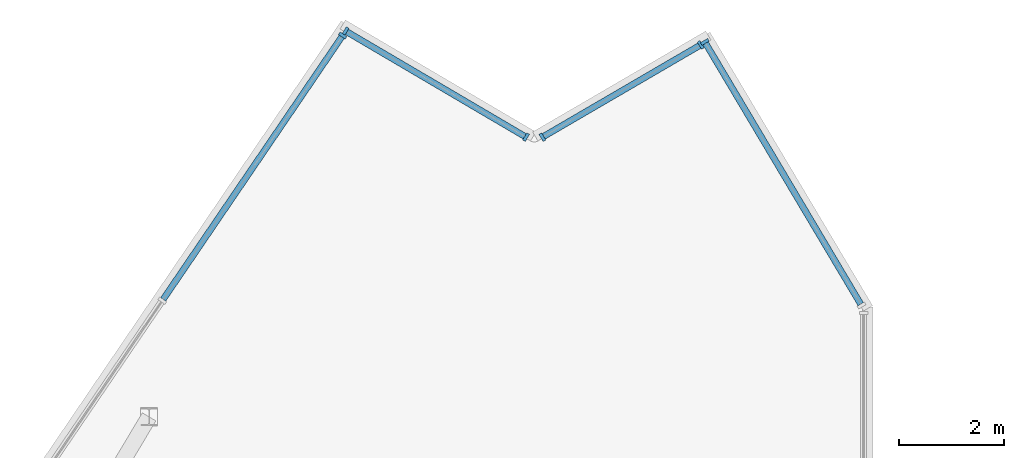
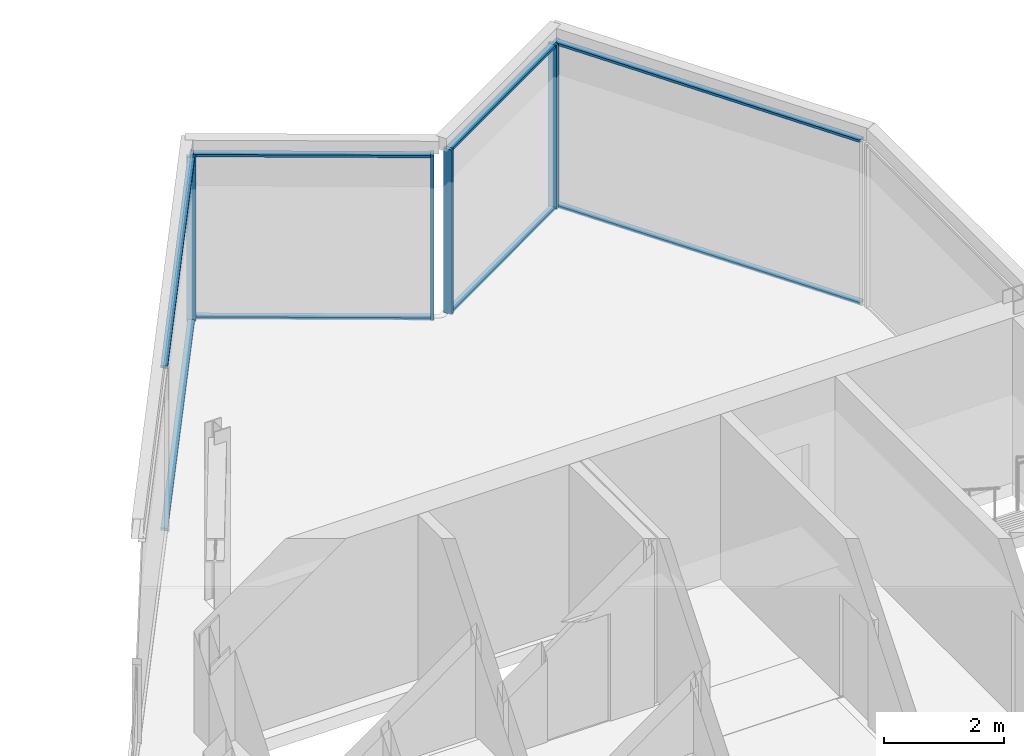
# One storey, part 6 of 13: 14 members, 4 elements without a shape of their own.
"""IFC4 building model written with IfcOpenShell, lengths in metres."""

from ifc_helpers import new_model, si_unit, direction, frame, origin, origin_2d, place, context, subcontext, project, spatial, rectangle, extrude, material, material_profile, profile_set, type_object, element, aggregate, save


model = new_model("IFC4")

# Units and contexts
model_context = context("Model", 3, precision=1e-05, world=origin(), true_north=direction((0.0, 1.0)))
body_context = subcontext(model_context, "Body", "Model", "MODEL_VIEW")
ifc_project = project(units=[si_unit("LENGTHUNIT", "METRE"), si_unit("AREAUNIT", "SQUARE_METRE"), si_unit("VOLUMEUNIT", "CUBIC_METRE"), si_unit("PLANEANGLEUNIT", "RADIAN"), si_unit("MASSUNIT", "GRAM", prefix="KILO")], contexts=[model_context])

# Site, building, storey
site_placement = place(None, origin())
site = spatial("IfcSite", under=ifc_project, at=site_placement, CompositionType="ELEMENT")
building_placement = place(site_placement, origin())
building = spatial("IfcBuilding", under=site, at=building_placement, Name="Savorim Split Tower", CompositionType="ELEMENT")
storey_placement = place(building_placement, frame((0.0, 0.0, 312.0)))
storey = spatial("IfcBuildingStorey", under=building, at=storey_placement, Name="Crown L83 Plant", CompositionType="ELEMENT", Elevation=312.0)

# Curtain wall, member
ifc_material_1 = material(Name="Dark Ceramic-Fritted Insulated Glass", Category="glass")
curtain_wall_type = type_object("IfcCurtainWallType", Name="CW-CROWN-CREST", PredefinedType="NOTDEFINED", material=ifc_material_1)
curtain_wall_1_placement = place(storey_placement, origin())
curtain_wall_1 = element("IfcCurtainWall", 1, at=curtain_wall_1_placement, inside=storey, type_object=curtain_wall_type, Name="Crown L83 Plant Curtain Wall CW-Crown-L83-Plant-W2A", PredefinedType="NOTDEFINED")
ifc_material_2 = material(Name="Charcoal Anodised Aluminium", Category="aluminium")
ifc_material_profile_1 = material_profile(ifc_material_2, rectangle(XDim=0.159912109375, YDim=0.06005859375, at=origin_2d()), Name="ALU-M 160x60")
ifc_profile_set_1 = profile_set([ifc_material_profile_1], Name="Charcoal Anodised Aluminium")
member_type_1 = type_object("IfcMemberType", Name="CWM-160x60", PredefinedType="MULLION", material=ifc_profile_set_1)
member_1_placement = place(storey_placement, frame((4.89892578125, 20.698974609375, 0.0), z_axis=(0.0, 0.0, 1.0), x_axis=(-0.8595200261, -0.511102068801, 0.0)))
member_1 = element("IfcMember", 2, at=member_1_placement, type_object=member_type_1, Name="CW-07 mullion 2", PredefinedType="MULLION", context=body_context, shape_type="SweptSolid", body=[
    extrude(rectangle(XDim=0.159912109375, YDim=0.06005859375, at=origin_2d()), origin(), (0.0, 0.0, 1.0), 3.340087890625),
])

# Curtain wall, members
curtain_wall_2_placement = place(storey_placement, origin())
curtain_wall_2 = element("IfcCurtainWall", 3, at=curtain_wall_2_placement, inside=storey, type_object=curtain_wall_type, Name="Crown L83 Plant Curtain Wall CW-Crown-L83-Plant-W3A", PredefinedType="NOTDEFINED")
member_2_placement = place(storey_placement, frame((4.82080078125, 20.642822265625, 0.0), z_axis=(0.0, 0.0, 1.0), x_axis=(0.503523282824, -0.863981657012, 0.0)))
member_2 = element("IfcMember", 4, at=member_2_placement, type_object=member_type_1, Name="CW-07 mullion 1", PredefinedType="MULLION", context=body_context, shape_type="SweptSolid", body=[
    extrude(rectangle(XDim=0.159912109375, YDim=0.06005859375, at=origin_2d()), origin(), (0.0, 0.0, 1.0), 3.340087890625),
])
member_3_placement = place(storey_placement, frame((1.798095703125, 18.88134765625, 0.0), z_axis=(0.0, 0.0, 1.0), x_axis=(0.503523282824, -0.863981657012, 0.0)))
member_3 = element("IfcMember", 5, at=member_3_placement, type_object=member_type_1, Name="CW-07 mullion 2", PredefinedType="MULLION", context=body_context, shape_type="SweptSolid", body=[
    extrude(rectangle(XDim=0.159912109375, YDim=0.06005859375, at=origin_2d()), origin(), (0.0, 0.0, 1.0), 3.340087890625),
])

curtain_wall_3_placement = place(storey_placement, origin())
curtain_wall_3 = element("IfcCurtainWall", 6, at=curtain_wall_3_placement, inside=storey, type_object=curtain_wall_type, Name="Crown L83 Plant Curtain Wall CW-Crown-L83-Plant-W4A", PredefinedType="NOTDEFINED")
member_4_placement = place(storey_placement, frame((1.48681640625, 18.8818359375, 0.0), z_axis=(0.0, 0.0, 1.0), x_axis=(-0.506699075105, -0.862122988493, 0.0)))
member_4 = element("IfcMember", 7, at=member_4_placement, type_object=member_type_1, Name="CW-07 mullion 1", PredefinedType="MULLION", context=body_context, shape_type="SweptSolid", body=[
    extrude(rectangle(XDim=0.159912109375, YDim=0.06005859375, at=origin_2d()), origin(), (0.0, 0.0, 1.0), 3.340087890625),
])
member_5_placement = place(storey_placement, frame((-1.958740234375, 20.906982421875, 0.0), z_axis=(0.0, 0.0, 1.0), x_axis=(-0.506699075105, -0.862122988493, 0.0)))
member_5 = element("IfcMember", 8, at=member_5_placement, type_object=member_type_1, Name="CW-07 mullion 2", PredefinedType="MULLION", context=body_context, shape_type="SweptSolid", body=[
    extrude(rectangle(XDim=0.159912109375, YDim=0.06005859375, at=origin_2d()), origin(), (0.0, 0.0, 1.0), 3.340087890625),
])

# Curtain wall, member
curtain_wall_4_placement = place(storey_placement, origin())
curtain_wall_4 = element("IfcCurtainWall", 9, at=curtain_wall_4_placement, inside=storey, type_object=curtain_wall_type, Name="Crown L83 Plant Curtain Wall CW-Crown-L83-Plant-W5A", PredefinedType="NOTDEFINED")
member_6_placement = place(storey_placement, frame((-2.0146484375, 20.821044921875, 0.0), z_axis=(0.0, 0.0, 1.0), x_axis=(0.826820757593, -0.562465496553, 0.0)))
member_6 = element("IfcMember", 10, at=member_6_placement, type_object=member_type_1, Name="CW-07 mullion 1", PredefinedType="MULLION", context=body_context, shape_type="SweptSolid", body=[
    extrude(rectangle(XDim=0.159912109375, YDim=0.06005859375, at=origin_2d()), origin(), (0.0, 0.0, 1.0), 3.340087890625),
])

# Member
ifc_material_profile_2 = material_profile(ifc_material_2, rectangle(XDim=0.1201171875, YDim=0.050048828125, at=origin_2d()), Name="ALU-T 120x50")
ifc_profile_set_2 = profile_set([ifc_material_profile_2], Name="Charcoal Anodised Aluminium")
member_type_2 = type_object("IfcMemberType", Name="CWT-120x50", PredefinedType="USERDEFINED", material=ifc_profile_set_2)
member_7_placement = place(storey_placement, frame((7.875244140625, 15.69384765625, 0.02490234375), z_axis=(-0.511095588045, 0.859523879762, 0.0), x_axis=(-0.859523879762, -0.511095588045, 0.0)))
member_7 = element("IfcMember", 11, at=member_7_placement, type_object=member_type_2, Name="CW-07 transom 1.1", ObjectType="TRANSOM", PredefinedType="USERDEFINED", context=body_context, shape_type="SweptSolid", body=[
    extrude(rectangle(XDim=0.1201171875, YDim=0.050048828125, at=origin_2d()), origin(), (0.0, 0.0, 1.0), 5.793212890625),
])

member_8_placement = place(storey_placement, frame((7.875244140625, 15.69384765625, 3.31494140625), z_axis=(-0.511095588045, 0.859523879762, 0.0), x_axis=(-0.859523879762, -0.511095588045, 0.0)))
member_8 = element("IfcMember", 12, at=member_8_placement, type_object=member_type_2, Name="CW-07 transom 1.2", ObjectType="TRANSOM", PredefinedType="USERDEFINED", context=body_context, shape_type="SweptSolid", body=[
    extrude(rectangle(XDim=0.1201171875, YDim=0.050048828125, at=origin_2d()), origin(), (0.0, 0.0, 1.0), 5.793212890625),
])

aggregate(curtain_wall_1, [member_1, member_7, member_8])

member_9_placement = place(storey_placement, frame((4.794677734375, 20.627685546875, 0.02490234375), z_axis=(-0.863995148984, -0.503500131611, 0.0), x_axis=(0.503500131611, -0.863995148984, 0.0)))
member_9 = element("IfcMember", 13, at=member_9_placement, type_object=member_type_2, Name="CW-07 transom 1.1", ObjectType="TRANSOM", PredefinedType="USERDEFINED", context=body_context, shape_type="SweptSolid", body=[
    extrude(rectangle(XDim=0.1201171875, YDim=0.050048828125, at=origin_2d()), origin(), (0.0, 0.0, 1.0), 3.438232421875),
])

member_10_placement = place(storey_placement, frame((4.794677734375, 20.627685546875, 3.31494140625), z_axis=(-0.863995148984, -0.503500131611, 0.0), x_axis=(0.503500131611, -0.863995148984, 0.0)))
member_10 = element("IfcMember", 14, at=member_10_placement, type_object=member_type_2, Name="CW-07 transom 1.2", ObjectType="TRANSOM", PredefinedType="USERDEFINED", context=body_context, shape_type="SweptSolid", body=[
    extrude(rectangle(XDim=0.1201171875, YDim=0.050048828125, at=origin_2d()), origin(), (0.0, 0.0, 1.0), 3.438232421875),
])

aggregate(curtain_wall_2, [member_2, member_3, member_9, member_10])

member_11_placement = place(storey_placement, frame((1.461181640625, 18.897216796875, 0.02490234375), z_axis=(-0.862141393352, 0.506667758861, 0.0), x_axis=(-0.506667758861, -0.862141393352, 0.0)))
member_11 = element("IfcMember", 15, at=member_11_placement, type_object=member_type_2, Name="CW-07 transom 1.1", ObjectType="TRANSOM", PredefinedType="USERDEFINED", context=body_context, shape_type="SweptSolid", body=[
    extrude(rectangle(XDim=0.1201171875, YDim=0.050048828125, at=origin_2d()), origin(), (0.0, 0.0, 1.0), 3.936767578125),
])

member_12_placement = place(storey_placement, frame((1.461181640625, 18.897216796875, 3.31494140625), z_axis=(-0.862141393352, 0.506667758861, 0.0), x_axis=(-0.506667758861, -0.862141393352, 0.0)))
member_12 = element("IfcMember", 16, at=member_12_placement, type_object=member_type_2, Name="CW-07 transom 1.2", ObjectType="TRANSOM", PredefinedType="USERDEFINED", context=body_context, shape_type="SweptSolid", body=[
    extrude(rectangle(XDim=0.1201171875, YDim=0.050048828125, at=origin_2d()), origin(), (0.0, 0.0, 1.0), 3.936767578125),
])

aggregate(curtain_wall_3, [member_4, member_5, member_11, member_12])

member_13_placement = place(storey_placement, frame((-2.031494140625, 20.79638671875, 0.02490234375), z_axis=(-0.562446625144, -0.826833595027, 0.0), x_axis=(0.826833595027, -0.562446625144, 0.0)))
member_13 = element("IfcMember", 17, at=member_13_placement, type_object=member_type_2, Name="CW-07 transom 1.1", ObjectType="TRANSOM", PredefinedType="USERDEFINED", context=body_context, shape_type="SweptSolid", body=[
    extrude(rectangle(XDim=0.1201171875, YDim=0.050048828125, at=origin_2d()), origin(), (0.0, 0.0, 1.0), 6.061279296875),
])

member_14_placement = place(storey_placement, frame((-2.031494140625, 20.79638671875, 3.31494140625), z_axis=(-0.562446625144, -0.826833595027, 0.0), x_axis=(0.826833595027, -0.562446625144, 0.0)))
member_14 = element("IfcMember", 18, at=member_14_placement, type_object=member_type_2, Name="CW-07 transom 1.2", ObjectType="TRANSOM", PredefinedType="USERDEFINED", context=body_context, shape_type="SweptSolid", body=[
    extrude(rectangle(XDim=0.1201171875, YDim=0.050048828125, at=origin_2d()), origin(), (0.0, 0.0, 1.0), 6.061279296875),
])

aggregate(curtain_wall_4, [member_6, member_13, member_14])

save(model, "model.ifc")
